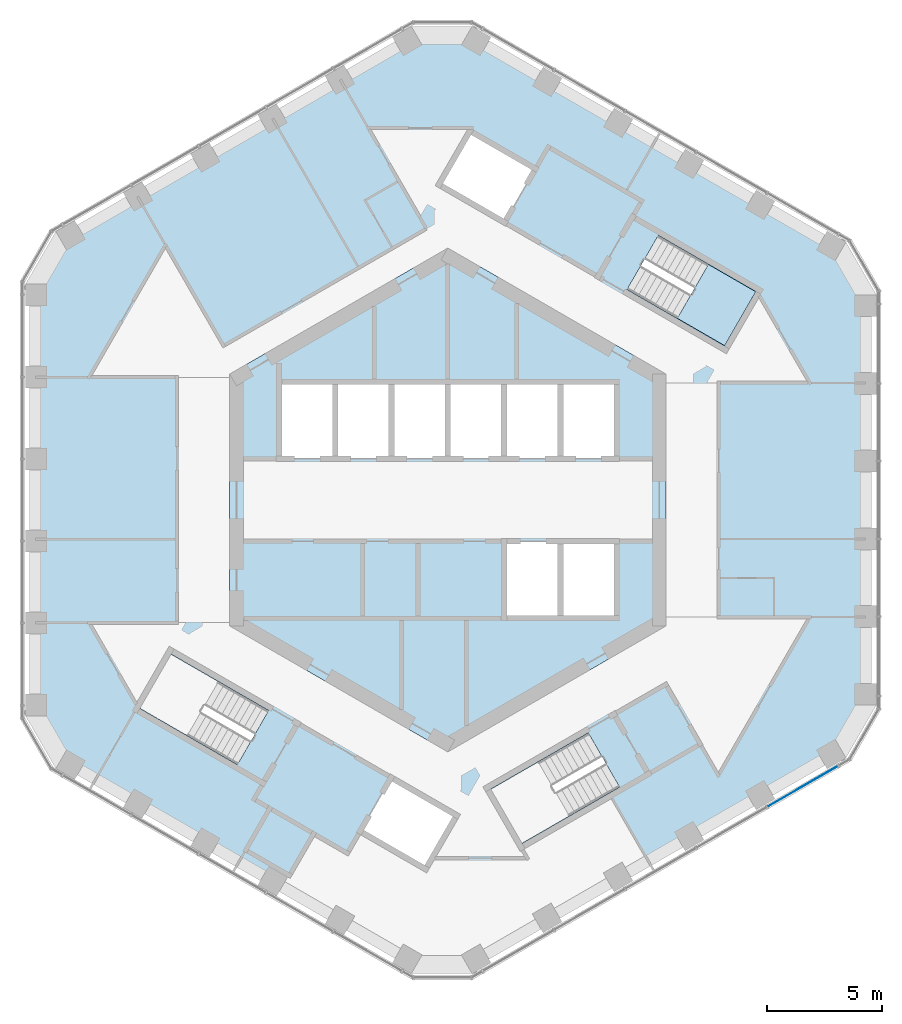
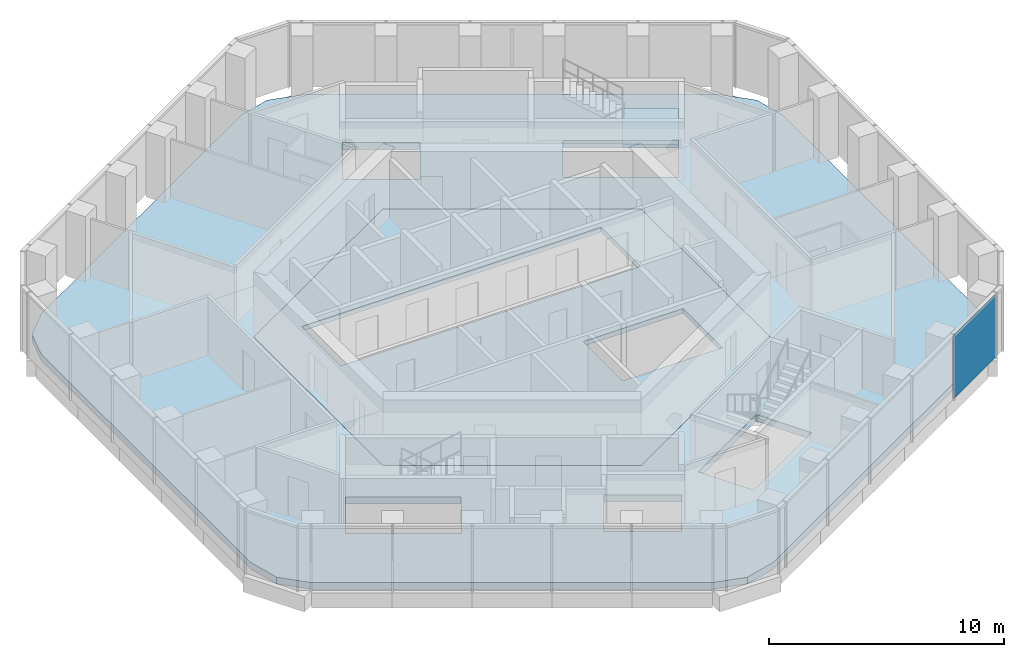
# One storey, part 11 of 18: 3 slabs, 1 plate, 2 elements without a shape of their own.
"""IFC4 building model written with IfcOpenShell, lengths in metres."""

from ifc_helpers import new_model, si_unit, direction, frame, origin, origin_2d, place, context, subcontext, project, spatial, polyline, rectangle, outline, extrude, material, layer, layer_set, type_object, element, aggregate, save


model = new_model("IFC4")

# Units and contexts
model_context = context("Model", 3, precision=1e-05, world=origin(), true_north=direction((0.0, 1.0)))
body_context = subcontext(model_context, "Body", "Model", "MODEL_VIEW")
ifc_project = project(units=[si_unit("LENGTHUNIT", "METRE"), si_unit("AREAUNIT", "SQUARE_METRE"), si_unit("VOLUMEUNIT", "CUBIC_METRE"), si_unit("PLANEANGLEUNIT", "RADIAN"), si_unit("MASSUNIT", "GRAM", prefix="KILO")], contexts=[model_context])

# Site, building, storey
site_placement = place(None, origin())
site = spatial("IfcSite", under=ifc_project, at=site_placement, CompositionType="ELEMENT")
building_placement = place(site_placement, origin())
building = spatial("IfcBuilding", under=site, at=building_placement, Name="Ayvan Gate Tower", CompositionType="ELEMENT")
storey_placement = place(building_placement, frame((0.0, 0.0, 166.300048828125)))
storey = spatial("IfcBuildingStorey", under=building, at=storey_placement, Name="L44", CompositionType="ELEMENT", Elevation=166.300048828125)

# Slabs
ifc_material_1 = material(Name="Concrete C40/50", Category="concrete")
ifc_layer_1 = layer(ifc_material_1, 0.35009765625)
ifc_layer_set_1 = layer_set([ifc_layer_1], Name="Concrete C40/50")
slab_type_1 = type_object("IfcSlabType", Name="Post-tensioned flat slab 350", PredefinedType="FLOOR", material=ifc_layer_set_1)
slab_1_placement = place(storey_placement, frame((0.0, 0.0, -0.35009765625)))
element("IfcSlab", 1, at=slab_1_placement, inside=storey, type_object=slab_type_1, Name="SL-L44", PredefinedType="FLOOR", context=body_context, shape_type="SweptSolid", body=[
    extrude(outline(polyline([(1.2626953125, -19.996826171875), (-0.2373046875, -20.39892578125), (-1.7373046875, -19.996826171875), (-16.44921875, -11.503173828125), (-17.547119140625, -10.405029296875), (-17.94921875, -8.905029296875), (-17.94921875, 8.905029296875), (-17.547119140625, 10.405029296875), (-16.44921875, 11.503173828125), (-1.7373046875, 19.996826171875), (-0.2373046875, 20.39892578125), (1.2626953125, 19.996826171875), (16.6865234375, 11.091796875), (17.78466796875, 9.993896484375), (18.1865234375, 8.493896484375), (18.1865234375, -8.493896484375), (17.78466796875, -9.993896484375), (16.6865234375, -11.091796875), (1.2626953125, -19.996826171875)]), holes=[polyline([(12.049560546875, 6.720458984375), (13.404541015625, 9.0673828125), (9.1611328125, 11.517578125), (7.80615234375, 9.170654296875), (12.049560546875, 6.720458984375)]), polyline([(9.5, 5.48486328125), (0.0, 10.9697265625), (-9.5, 5.48486328125), (-9.5, -5.48486328125), (0.0, -10.9697265625), (9.5, -5.48486328125), (9.5, 5.48486328125)]), polyline([(1.873779296875, -12.595458984375), (3.228759765625, -14.9423828125), (7.472412109375, -12.492431640625), (6.117431640625, -10.1455078125), (1.873779296875, -12.595458984375)]), polyline([(3.822509765625, 14.420654296875), (0.964599609375, 16.07080078125), (-0.385498046875, 13.732421875), (2.472412109375, 12.08251953125), (3.822509765625, 14.420654296875)]), polyline([(-0.692138671875, -15.598876953125), (0.385498046875, -13.732421875), (-2.472412109375, -12.08251953125), (-3.822509765625, -14.420654296875), (-0.964599609375, -16.07080078125), (-0.692138671875, -15.598876953125)]), polyline([(-9.1611328125, -11.517578125), (-7.80615234375, -9.170654296875), (-12.049560546875, -6.720458984375), (-13.404541015625, -9.0673828125), (-9.1611328125, -11.517578125)])]), origin(), (0.0, 0.0, 1.0), 0.35009765625),
])
ifc_layer_2 = layer(ifc_material_1, 0.25)
ifc_layer_set_2 = layer_set([ifc_layer_2], Name="Concrete C40/50")
slab_type_2 = type_object("IfcSlabType", Name="SL-CORE-250", PredefinedType="FLOOR", material=ifc_layer_set_2)
slab_2_placement = place(storey_placement, frame((0.0, 0.0, -0.25)))
element("IfcSlab", 2, at=slab_2_placement, inside=storey, type_object=slab_type_2, Name="CS-L44", PredefinedType="FLOOR", context=body_context, shape_type="SweptSolid", body=[
    extrude(outline(polyline([(9.5, -5.48486328125), (0.0, -10.9697265625), (-9.5, -5.48486328125), (-9.5, 5.48486328125), (0.0, 10.9697265625), (9.5, 5.48486328125), (9.5, -5.48486328125)]), holes=[polyline([(-7.35009765625, 5.14990234375), (-7.35009765625, 1.800048828125), (7.35009765625, 1.800048828125), (7.35009765625, 5.14990234375), (-7.35009765625, 5.14990234375)]), polyline([(2.449951171875, -1.800048828125), (2.449951171875, -5.14990234375), (7.35009765625, -5.14990234375), (7.35009765625, -1.800048828125), (2.449951171875, -1.800048828125)])]), origin(), (0.0, 0.0, 1.0), 0.25),
])

# Stair, slab
stair_type = type_object("IfcStairType", Name="ST-EXIT", PredefinedType="HALF_TURN_STAIR", material=ifc_material_1)
stair_placement = place(storey_placement, origin())
stair = element("IfcStair", 3, at=stair_placement, inside=storey, type_object=stair_type, Name="L44 Exit Stair S1", PredefinedType="HALF_TURN_STAIR")
ifc_layer_3 = layer(ifc_material_1, 0.199951171875)
ifc_layer_set_3 = layer_set([ifc_layer_3], Name="Concrete C40/50")
slab_type_3 = type_object("IfcSlabType", Name="SL-LANDING-200", PredefinedType="LANDING", material=ifc_layer_set_3)
slab_3_placement = place(storey_placement, frame((0.0, 0.0, 1.5)))
slab_3 = element("IfcSlab", 4, at=slab_3_placement, type_object=slab_type_3, Name="STS1 landing 1", PredefinedType="LANDING", context=body_context, shape_type="SweptSolid", body=[
    extrude(outline(polyline([(9.988525390625, 7.91064453125), (12.049560546875, 6.720458984375), (13.404541015625, 9.0673828125), (11.343505859375, 10.257568359375), (9.988525390625, 7.91064453125)])), origin(), (0.0, 0.0, 1.0), 0.199951171875),
])
aggregate(stair, [slab_3])

# Curtain wall, plate
ifc_material_2 = material(Name="Bronze anodised aluminium", Category="aluminium")
ifc_layer_4 = layer(ifc_material_2, 0.199951171875)
ifc_layer_set_4 = layer_set([ifc_layer_4], Name="Bronze anodised aluminium")
curtain_wall_type = type_object("IfcCurtainWallType", Name="Stick curtain wall CW-2", PredefinedType="NOTDEFINED", material=ifc_layer_set_4)
curtain_wall_placement = place(storey_placement, origin())
curtain_wall = element("IfcCurtainWall", 5, at=curtain_wall_placement, inside=storey, type_object=curtain_wall_type, Name="Stick curtain wall CW-2 L44", PredefinedType="NOTDEFINED")
ifc_material_3 = material(Name="Clear low-iron laminated glass", Category="glass")
ifc_layer_5 = layer(ifc_material_3, 0.028076171875)
ifc_layer_set_5 = layer_set([ifc_layer_5], Name="Clear low-iron laminated glass")
plate_type = type_object("IfcPlateType", Name="Stick curtain wall CW-2 glass panel", PredefinedType="CURTAIN_PANEL", material=ifc_layer_set_5)
plate_placement = place(storey_placement, frame((15.468994140625, -12.458984375, 0.0), z_axis=(0.0, 0.0, 1.0), x_axis=(0.866025403784, 0.5, 0.0)))
plate = element("IfcPlate", 6, at=plate_placement, type_object=plate_type, Name="CW-2 glass panel 5", PredefinedType="CURTAIN_PANEL", context=body_context, shape_type="SweptSolid", body=[
    extrude(rectangle(XDim=3.557373046875, YDim=0.028076171875, at=origin_2d()), origin(), (0.0, 0.0, 1.0), 3.280029296875),
])
aggregate(curtain_wall, [plate])

save(model, "model.ifc")
